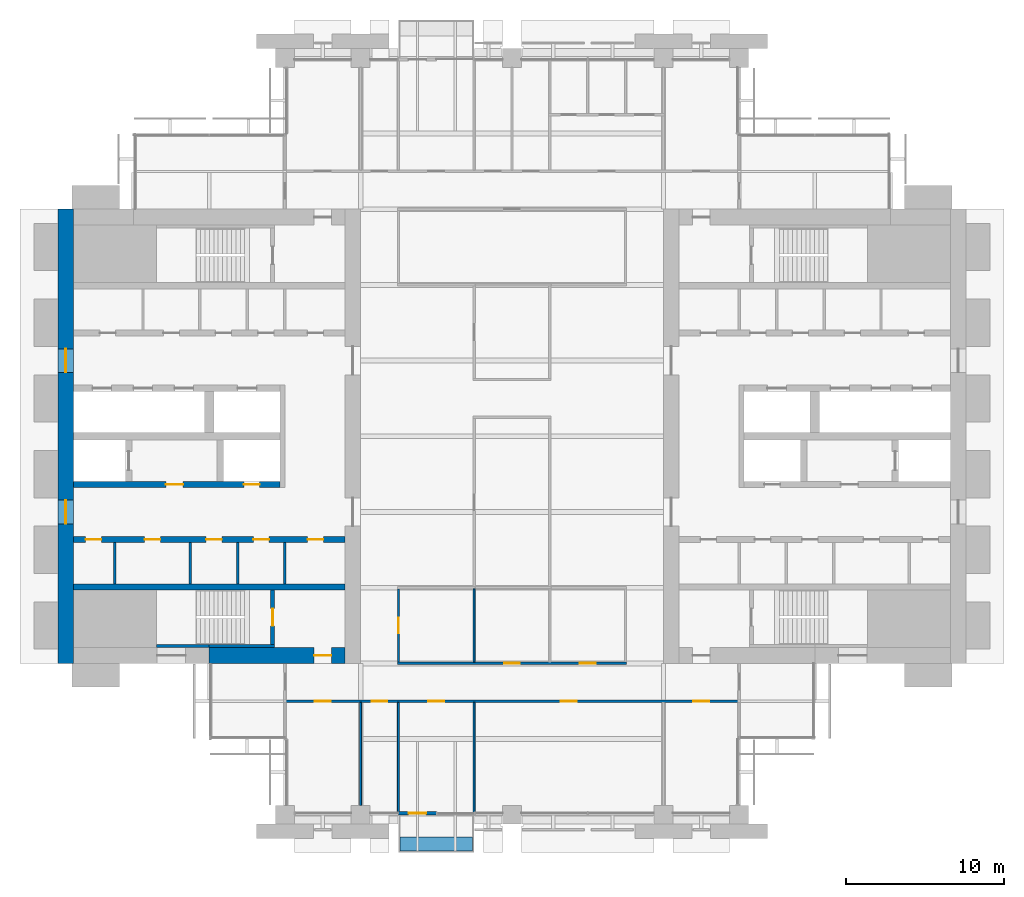
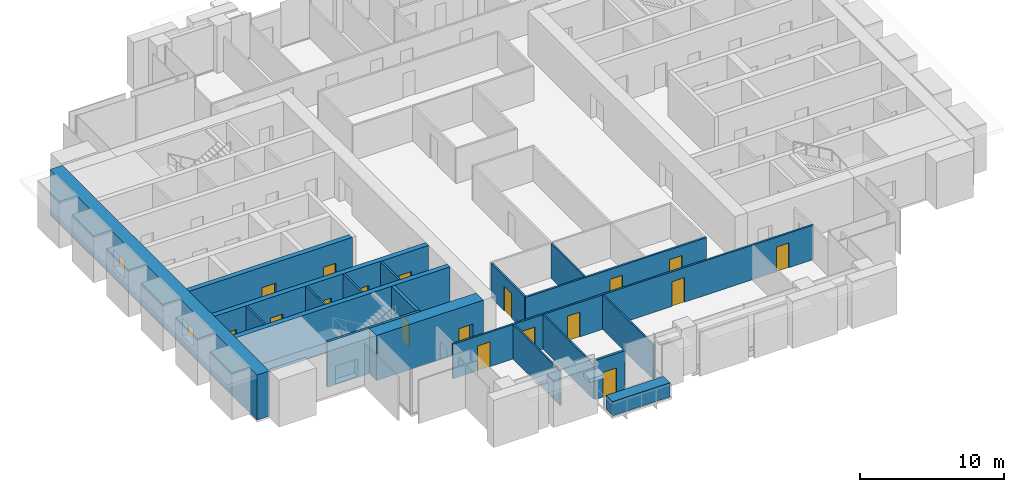
# One storey, part 9 of 15: 21 walls, 18 doors, 2 windows, 20 openings.
"""IFC4 building model written with IfcOpenShell, lengths in metres."""

from ifc_helpers import new_model, si_unit, direction, frame, frame_2d, origin, place, context, subcontext, project, spatial, rectangle, extrude, material, layer, layer_set, type_object, element, fill, save


model = new_model("IFC4")

# Units and contexts
model_context = context("Model", 3, precision=1e-05, world=origin(), true_north=direction((0.0, 1.0)))
body_context = subcontext(model_context, "Body", "Model", "MODEL_VIEW")
ifc_project = project(units=[si_unit("LENGTHUNIT", "METRE"), si_unit("AREAUNIT", "SQUARE_METRE"), si_unit("VOLUMEUNIT", "CUBIC_METRE"), si_unit("PLANEANGLEUNIT", "RADIAN"), si_unit("MASSUNIT", "GRAM", prefix="KILO")], contexts=[model_context])

# Site, building, storey
site_placement = place(None, origin())
site = spatial("IfcSite", under=ifc_project, at=site_placement, CompositionType="ELEMENT")
building_placement = place(site_placement, origin())
building = spatial("IfcBuilding", under=site, at=building_placement, Name="Baori Bourse Tower", CompositionType="ELEMENT")
storey_placement = place(building_placement, frame((0.0, 0.0, 128.10009765625)))
storey = spatial("IfcBuildingStorey", under=building, at=storey_placement, Name="L27", CompositionType="ELEMENT", Elevation=128.10009765625)

# Walls
ifc_material_1 = material(Name="Blockwork partition", Category="masonry")
ifc_layer_1 = layer(ifc_material_1, 0.14990234375)
ifc_layer_set_1 = layer_set([ifc_layer_1], Name="Core partition 150")
wall_type_1 = type_object("IfcWallType", Name="Core partition 150", PredefinedType="PARTITIONING", material=ifc_layer_set_1)
for number, where, z_axis, x_axis, name in (
    (1, (3.60009765625, 14.64990234375, 0.0), (0.0, 0.0, 1.0), (0.0, 1.0, 0.0), "Partition wall W10"),
    (2, (8.39990234375, 14.64990234375, 0.0), (0.0, 0.0, 1.0), (0.0, 1.0, 0.0), "Partition wall W11"),
    (3, (11.39990234375, 14.64990234375, 0.0), (0.0, 0.0, 1.0), (0.0, 1.0, 0.0), "Partition wall W12"),
    (4, (14.39990234375, 14.64990234375, 0.0), (0.0, 0.0, 1.0), (0.0, 1.0, 0.0), "Partition wall W13"),
):
    element("IfcWall", number, at=place(storey_placement, frame(where, z_axis=z_axis, x_axis=x_axis)), inside=storey, type_object=wall_type_1, Name=name, PredefinedType="PARTITIONING", context=body_context, shape_type="SweptSolid", body=[
        extrude(rectangle(XDim=2.60009765625, YDim=0.14990234375, at=frame_2d((1.300048828125, 0.0))), origin(), (0.0, 0.0, 1.0), 3.83984375),
    ])

# Wall, openings, windows
ifc_material_2 = material(Name="Concrete f'c 60 MPa", Category="concrete")
ifc_layer_2 = layer(ifc_material_2, 1.0)
ifc_layer_set_2 = layer_set([ifc_layer_2], Name="Core wall 1000 f'c 60")
wall_type_2 = type_object("IfcWallType", Name="Core wall 1000 f'c 60", PredefinedType="SHEAR", material=ifc_layer_set_2)
wall_1_placement = place(storey_placement, frame((0.5, 9.60009765625, 0.0), z_axis=(0.0, 0.0, 1.0), x_axis=(0.0, 1.0, 0.0)))
wall_1 = element("IfcWall", 5, at=wall_1_placement, inside=storey, type_object=wall_type_2, Name="Core wall W01", PredefinedType="SHEAR", context=body_context, shape_type="SweptSolid", body=[
    extrude(rectangle(XDim=28.7998046875, YDim=1.0, at=frame_2d((14.39990234375, 0.0))), origin(), (0.0, 0.0, 1.0), 3.83984375),
])
opening_1_placement = place(wall_1_placement, frame((8.85009765625, 0.0, 0.89990234375)))
opening_1 = element("IfcOpeningElement", 6, at=opening_1_placement, cuts=wall_1, Name="Opening L27-KW101", PredefinedType="OPENING", context=body_context, shape_type="SweptSolid", body=[
    extrude(rectangle(XDim=1.5, YDim=1.5, at=frame_2d((0.75, 0.75))), frame((0.0, 0.510009765625, 0.0), z_axis=(0.0, -1.0, 0.0), x_axis=(1.0, 0.0, 0.0)), (0.0, 0.0, 1.0), 1.02001953125),
])
opening_2_placement = place(wall_1_placement, frame((18.449951171875, 0.0, 0.89990234375)))
opening_2 = element("IfcOpeningElement", 7, at=opening_2_placement, cuts=wall_1, Name="Opening L27-KW102", PredefinedType="OPENING", context=body_context, shape_type="SweptSolid", body=[
    extrude(rectangle(XDim=1.5, YDim=1.5, at=frame_2d((0.75, 0.75))), frame((0.0, 0.510009765625, 0.0), z_axis=(0.0, -1.0, 0.0), x_axis=(1.0, 0.0, 0.0)), (0.0, 0.0, 1.0), 1.02001953125),
])
ifc_material_3 = material(Name="Pale anodised aluminium", Category="aluminium")
window_type = type_object("IfcWindowType", Name="Lobby window 1500 x 1500", PartitioningType="SINGLE_PANEL", PredefinedType="WINDOW", material=ifc_material_3)
window_1_placement = place(opening_1_placement, origin())
window_1 = element("IfcWindow", 8, at=window_1_placement, inside=storey, type_object=window_type, Name="Outer wall window W L27 1", OverallHeight=1.5, OverallWidth=1.5, PartitioningType="SINGLE_PANEL", PredefinedType="WINDOW", context=body_context, shape_type="SweptSolid", body=[
    extrude(rectangle(XDim=1.5, YDim=1.5, at=frame_2d((0.75, 0.75))), frame((0.0, 0.030029296875, 0.0), z_axis=(0.0, -1.0, 0.0), x_axis=(1.0, 0.0, 0.0)), (0.0, 0.0, 1.0), 0.06005859375),
])
fill(opening_1, window_1)
window_2_placement = place(opening_2_placement, origin())
window_2 = element("IfcWindow", 9, at=window_2_placement, inside=storey, type_object=window_type, Name="Outer wall window W L27 2", OverallHeight=1.5, OverallWidth=1.5, PartitioningType="SINGLE_PANEL", PredefinedType="WINDOW", context=body_context, shape_type="SweptSolid", body=[
    extrude(rectangle(XDim=1.5, YDim=1.5, at=frame_2d((0.75, 0.75))), frame((0.0, 0.030029296875, 0.0), z_axis=(0.0, -1.0, 0.0), x_axis=(1.0, 0.0, 0.0)), (0.0, 0.0, 1.0), 0.06005859375),
])
fill(opening_2, window_2)

# Wall, opening, door
wall_2_placement = place(storey_placement, frame((18.199951171875, 10.10009765625, 0.0), z_axis=(0.0, 0.0, 1.0), x_axis=(-1.0, 0.0, 0.0)))
wall_2 = element("IfcWall", 10, at=wall_2_placement, inside=storey, type_object=wall_type_2, Name="Core wall W03", PredefinedType="SHEAR", context=body_context, shape_type="SweptSolid", body=[
    extrude(rectangle(XDim=8.599853515625, YDim=1.0, at=frame_2d((4.2998046875, 0.0))), origin(), (0.0, 0.0, 1.0), 3.83984375),
])
opening_3_placement = place(wall_2_placement, frame((0.85009765625, 0.0, 0.0)))
opening_3 = element("IfcOpeningElement", 11, at=opening_3_placement, cuts=wall_2, Name="Opening L27-D102", PredefinedType="OPENING", context=body_context, shape_type="SweptSolid", body=[
    extrude(rectangle(XDim=1.10009765625, YDim=2.10009765625, at=frame_2d((0.550048828125, 1.050048828125))), frame((0.0, 0.510009765625, 0.0), z_axis=(0.0, -1.0, 0.0), x_axis=(1.0, 0.0, 0.0)), (0.0, 0.0, 1.0), 1.02001953125),
])
ifc_material_4 = material(Name="Painted steel door", Category="steel")
door_type_1 = type_object("IfcDoorType", Name="Stair door 1100", OperationType="SINGLE_SWING_LEFT", PredefinedType="DOOR", material=ifc_material_4)
door_1_placement = place(opening_3_placement, origin())
door_1 = element("IfcDoor", 12, at=door_1_placement, inside=storey, type_object=door_type_1, Name="Stair vestibule door A W L27", OperationType="SINGLE_SWING_LEFT", OverallHeight=2.10009765625, OverallWidth=1.10009765625, PredefinedType="DOOR", context=body_context, shape_type="SweptSolid", body=[
    extrude(rectangle(XDim=1.10009765625, YDim=2.10009765625, at=frame_2d((0.550048828125, 1.050048828125))), frame((0.0, 0.02490234375, 0.0), z_axis=(0.0, -1.0, 0.0), x_axis=(1.0, 0.0, 0.0)), (0.0, 0.0, 1.0), 0.050048828125),
])
fill(opening_3, door_1)

# Wall, openings, doors
ifc_material_5 = material(Name="Gypsum board partition")
ifc_layer_3 = layer(ifc_material_5, 0.14990234375)
ifc_layer_set_3 = layer_set([ifc_layer_3], Name="Corridor partition 150")
wall_type_3 = type_object("IfcWallType", Name="Corridor partition 150", PredefinedType="PARTITIONING", material=ifc_layer_set_3)
wall_3_placement = place(storey_placement, frame((14.324951171875, 7.199951171875, 0.0), z_axis=(0.0, 0.0, 1.0), x_axis=(1.0, 0.0, 0.0)))
wall_3 = element("IfcWall", 13, at=wall_3_placement, inside=storey, type_object=wall_type_3, Name="Partition", PredefinedType="PARTITIONING", context=body_context, shape_type="SweptSolid", body=[
    extrude(rectangle(XDim=28.949951171875, YDim=0.14990234375, at=frame_2d((14.47509765625, 0.0))), origin(), (0.0, 0.0, 1.0), 2.935546875),
])
opening_4_placement = place(wall_3_placement, frame((1.97509765625, 0.0, 0.0)))
opening_4 = element("IfcOpeningElement", 14, at=opening_4_placement, cuts=wall_3, Name="Opening L27-D01", PredefinedType="OPENING", context=body_context, shape_type="SweptSolid", body=[
    extrude(rectangle(XDim=1.0, YDim=2.10009765625, at=frame_2d((0.5, 1.050048828125))), frame((0.0, 0.0849609375, 0.0), z_axis=(0.0, -1.0, 0.0), x_axis=(1.0, 0.0, 0.0)), (0.0, 0.0, 1.0), 0.169921875),
])
opening_5_placement = place(wall_3_placement, frame((5.574951171875, 0.0, 0.0)))
opening_5 = element("IfcOpeningElement", 15, at=opening_5_placement, cuts=wall_3, Name="Opening L27-D02", PredefinedType="OPENING", context=body_context, shape_type="SweptSolid", body=[
    extrude(rectangle(XDim=1.0, YDim=2.10009765625, at=frame_2d((0.5, 1.050048828125))), frame((0.0, 0.0849609375, 0.0), z_axis=(0.0, -1.0, 0.0), x_axis=(1.0, 0.0, 0.0)), (0.0, 0.0, 1.0), 0.169921875),
])
opening_6_placement = place(wall_3_placement, frame((9.175048828125, 0.0, 0.0)))
opening_6 = element("IfcOpeningElement", 16, at=opening_6_placement, cuts=wall_3, Name="Opening L27-D03", PredefinedType="OPENING", context=body_context, shape_type="SweptSolid", body=[
    extrude(rectangle(XDim=1.0, YDim=2.10009765625, at=frame_2d((0.5, 1.050048828125))), frame((0.0, 0.0849609375, 0.0), z_axis=(0.0, -1.0, 0.0), x_axis=(1.0, 0.0, 0.0)), (0.0, 0.0, 1.0), 0.169921875),
])
opening_7_placement = place(wall_3_placement, frame((17.574951171875, 0.0, 0.0)))
opening_7 = element("IfcOpeningElement", 17, at=opening_7_placement, cuts=wall_3, Name="Opening L27-D04", PredefinedType="OPENING", context=body_context, shape_type="SweptSolid", body=[
    extrude(rectangle(XDim=1.0, YDim=2.10009765625, at=frame_2d((0.5, 1.050048828125))), frame((0.0, 0.0849609375, 0.0), z_axis=(0.0, -1.0, 0.0), x_axis=(1.0, 0.0, 0.0)), (0.0, 0.0, 1.0), 0.169921875),
])
opening_8_placement = place(wall_3_placement, frame((25.97509765625, 0.0, 0.0)))
opening_8 = element("IfcOpeningElement", 18, at=opening_8_placement, cuts=wall_3, Name="Opening L27-D05", PredefinedType="OPENING", context=body_context, shape_type="SweptSolid", body=[
    extrude(rectangle(XDim=1.0, YDim=2.10009765625, at=frame_2d((0.5, 1.050048828125))), frame((0.0, 0.0849609375, 0.0), z_axis=(0.0, -1.0, 0.0), x_axis=(1.0, 0.0, 0.0)), (0.0, 0.0, 1.0), 0.169921875),
])
ifc_material_6 = material(Name="Timber door leaf", Category="wood")
door_type_2 = type_object("IfcDoorType", Name="Door 1000 x 2100", OperationType="SINGLE_SWING_LEFT", PredefinedType="DOOR", material=ifc_material_6)
door_2_placement = place(opening_4_placement, origin())
door_2 = element("IfcDoor", 19, at=door_2_placement, inside=storey, type_object=door_type_2, Name="Door", OperationType="SINGLE_SWING_LEFT", OverallHeight=2.10009765625, OverallWidth=1.0, PredefinedType="DOOR", context=body_context, shape_type="SweptSolid", body=[
    extrude(rectangle(XDim=1.0, YDim=2.10009765625, at=frame_2d((0.5, 1.050048828125))), frame((0.0, 0.02490234375, 0.0), z_axis=(0.0, -1.0, 0.0), x_axis=(1.0, 0.0, 0.0)), (0.0, 0.0, 1.0), 0.050048828125),
])
fill(opening_4, door_2)
door_3_placement = place(opening_5_placement, origin())
door_3 = element("IfcDoor", 20, at=door_3_placement, inside=storey, type_object=door_type_2, Name="Door", OperationType="SINGLE_SWING_LEFT", OverallHeight=2.10009765625, OverallWidth=1.0, PredefinedType="DOOR", context=body_context, shape_type="SweptSolid", body=[
    extrude(rectangle(XDim=1.0, YDim=2.10009765625, at=frame_2d((0.5, 1.050048828125))), frame((0.0, 0.02490234375, 0.0), z_axis=(0.0, -1.0, 0.0), x_axis=(1.0, 0.0, 0.0)), (0.0, 0.0, 1.0), 0.050048828125),
])
fill(opening_5, door_3)
door_4_placement = place(opening_6_placement, origin())
door_4 = element("IfcDoor", 21, at=door_4_placement, inside=storey, type_object=door_type_2, Name="Door", OperationType="SINGLE_SWING_LEFT", OverallHeight=2.10009765625, OverallWidth=1.0, PredefinedType="DOOR", context=body_context, shape_type="SweptSolid", body=[
    extrude(rectangle(XDim=1.0, YDim=2.10009765625, at=frame_2d((0.5, 1.050048828125))), frame((0.0, 0.02490234375, 0.0), z_axis=(0.0, -1.0, 0.0), x_axis=(1.0, 0.0, 0.0)), (0.0, 0.0, 1.0), 0.050048828125),
])
fill(opening_6, door_4)
door_5_placement = place(opening_7_placement, origin())
door_5 = element("IfcDoor", 22, at=door_5_placement, inside=storey, type_object=door_type_2, Name="Door", OperationType="SINGLE_SWING_RIGHT", OverallHeight=2.10009765625, OverallWidth=1.0, PredefinedType="DOOR", context=body_context, shape_type="SweptSolid", body=[
    extrude(rectangle(XDim=1.0, YDim=2.10009765625, at=frame_2d((0.5, 1.050048828125))), frame((0.0, 0.02490234375, 0.0), z_axis=(0.0, -1.0, 0.0), x_axis=(1.0, 0.0, 0.0)), (0.0, 0.0, 1.0), 0.050048828125),
])
fill(opening_7, door_5)
door_6_placement = place(opening_8_placement, origin())
door_6 = element("IfcDoor", 23, at=door_6_placement, inside=storey, type_object=door_type_2, Name="Door", OperationType="SINGLE_SWING_RIGHT", OverallHeight=2.10009765625, OverallWidth=1.0, PredefinedType="DOOR", context=body_context, shape_type="SweptSolid", body=[
    extrude(rectangle(XDim=1.0, YDim=2.10009765625, at=frame_2d((0.5, 1.050048828125))), frame((0.0, 0.02490234375, 0.0), z_axis=(0.0, -1.0, 0.0), x_axis=(1.0, 0.0, 0.0)), (0.0, 0.0, 1.0), 0.050048828125),
])
fill(opening_8, door_6)

wall_4_placement = place(storey_placement, frame((21.52490234375, 9.60009765625, 0.0), z_axis=(0.0, 0.0, 1.0), x_axis=(1.0, 0.0, 0.0)))
wall_4 = element("IfcWall", 24, at=wall_4_placement, inside=storey, type_object=wall_type_3, Name="Partition", PredefinedType="PARTITIONING", context=body_context, shape_type="SweptSolid", body=[
    extrude(rectangle(XDim=14.550048828125, YDim=0.14990234375, at=frame_2d((7.27490234375, 0.0))), origin(), (0.0, 0.0, 1.0), 2.935546875),
])
opening_9_placement = place(wall_4_placement, frame((6.77490234375, 0.0, 0.0)))
opening_9 = element("IfcOpeningElement", 25, at=opening_9_placement, cuts=wall_4, Name="Opening L27-D06", PredefinedType="OPENING", context=body_context, shape_type="SweptSolid", body=[
    extrude(rectangle(XDim=1.0, YDim=2.10009765625, at=frame_2d((0.5, 1.050048828125))), frame((0.0, 0.0849609375, 0.0), z_axis=(0.0, -1.0, 0.0), x_axis=(1.0, 0.0, 0.0)), (0.0, 0.0, 1.0), 0.169921875),
])
opening_10_placement = place(wall_4_placement, frame((11.574951171875, 0.0, 0.0)))
opening_10 = element("IfcOpeningElement", 26, at=opening_10_placement, cuts=wall_4, Name="Opening L27-D07", PredefinedType="OPENING", context=body_context, shape_type="SweptSolid", body=[
    extrude(rectangle(XDim=1.0, YDim=2.10009765625, at=frame_2d((0.5, 1.050048828125))), frame((0.0, 0.0849609375, 0.0), z_axis=(0.0, -1.0, 0.0), x_axis=(1.0, 0.0, 0.0)), (0.0, 0.0, 1.0), 0.169921875),
])
door_7_placement = place(opening_9_placement, origin())
door_7 = element("IfcDoor", 27, at=door_7_placement, inside=storey, type_object=door_type_2, Name="Door", OperationType="SINGLE_SWING_RIGHT", OverallHeight=2.10009765625, OverallWidth=1.0, PredefinedType="DOOR", context=body_context, shape_type="SweptSolid", body=[
    extrude(rectangle(XDim=1.0, YDim=2.10009765625, at=frame_2d((0.5, 1.050048828125))), frame((0.0, 0.02490234375, 0.0), z_axis=(0.0, -1.0, 0.0), x_axis=(1.0, 0.0, 0.0)), (0.0, 0.0, 1.0), 0.050048828125),
])
fill(opening_9, door_7)
door_8_placement = place(opening_10_placement, origin())
door_8 = element("IfcDoor", 28, at=door_8_placement, inside=storey, type_object=door_type_2, Name="Door", OperationType="SINGLE_SWING_LEFT", OverallHeight=2.10009765625, OverallWidth=1.0, PredefinedType="DOOR", context=body_context, shape_type="SweptSolid", body=[
    extrude(rectangle(XDim=1.0, YDim=2.10009765625, at=frame_2d((0.5, 1.050048828125))), frame((0.0, 0.02490234375, 0.0), z_axis=(0.0, -1.0, 0.0), x_axis=(1.0, 0.0, 0.0)), (0.0, 0.0, 1.0), 0.050048828125),
])
fill(opening_10, door_8)

# Wall, opening, door
wall_5_placement = place(storey_placement, frame((21.60009765625, 9.675048828125, 0.0), z_axis=(0.0, 0.0, 1.0), x_axis=(0.0, 1.0, 0.0)))
wall_5 = element("IfcWall", 29, at=wall_5_placement, inside=storey, type_object=wall_type_3, Name="Partition", PredefinedType="PARTITIONING", context=body_context, shape_type="SweptSolid", body=[
    extrude(rectangle(XDim=4.64990234375, YDim=0.14990234375, at=frame_2d((2.324951171875, 0.0))), origin(), (0.0, 0.0, 1.0), 2.935546875),
])
opening_11_placement = place(wall_5_placement, frame((1.824951171875, 0.0, 0.0)))
opening_11 = element("IfcOpeningElement", 30, at=opening_11_placement, cuts=wall_5, Name="Opening L27-D21", PredefinedType="OPENING", context=body_context, shape_type="SweptSolid", body=[
    extrude(rectangle(XDim=1.0, YDim=2.10009765625, at=frame_2d((0.5, 1.050048828125))), frame((0.0, 0.0849609375, 0.0), z_axis=(0.0, -1.0, 0.0), x_axis=(1.0, 0.0, 0.0)), (0.0, 0.0, 1.0), 0.169921875),
])
door_9_placement = place(opening_11_placement, origin())
door_9 = element("IfcDoor", 31, at=door_9_placement, inside=storey, type_object=door_type_2, Name="Door", OperationType="SINGLE_SWING_LEFT", OverallHeight=2.10009765625, OverallWidth=1.0, PredefinedType="DOOR", context=body_context, shape_type="SweptSolid", body=[
    extrude(rectangle(XDim=1.0, YDim=2.10009765625, at=frame_2d((0.5, 1.050048828125))), frame((0.0, 0.02490234375, 0.0), z_axis=(0.0, -1.0, 0.0), x_axis=(1.0, 0.0, 0.0)), (0.0, 0.0, 1.0), 0.050048828125),
])
fill(opening_11, door_9)

ifc_material_7 = material(Name="Pale anodised aluminium", Category="aluminium")
ifc_layer_4 = layer(ifc_material_7, 0.199951171875)
ifc_layer_set_4 = layer_set([ifc_layer_4], Name="EW1 External wall bay")
wall_type_4 = type_object("IfcWallType", Name="EW1 External wall bay", PredefinedType="SOLIDWALL", material=ifc_layer_set_4)
wall_6_placement = place(storey_placement, frame((21.60009765625, 0.10009765625, 0.0), z_axis=(0.0, 0.0, 1.0), x_axis=(1.0, 0.0, 0.0)))
wall_6 = element("IfcWall", 32, at=wall_6_placement, inside=storey, type_object=wall_type_4, Name="External wall bay L27 2", PredefinedType="SOLIDWALL", context=body_context, shape_type="SweptSolid", body=[
    extrude(rectangle(XDim=2.39990234375, YDim=0.199951171875, at=frame_2d((1.199951171875, 0.0))), origin(), (0.0, 0.0, 1.0), 3.314208984375),
])
opening_12_placement = place(wall_6_placement, frame((0.64990234375, 0.0, 0.0)))
opening_12 = element("IfcOpeningElement", 33, at=opening_12_placement, cuts=wall_6, Name="Opening L27-D92", PredefinedType="OPENING", context=body_context, shape_type="SweptSolid", body=[
    extrude(rectangle(XDim=1.10009765625, YDim=2.10009765625, at=frame_2d((0.550048828125, 1.050048828125))), frame((0.0, 0.10986328125, 0.0), z_axis=(0.0, -1.0, 0.0), x_axis=(1.0, 0.0, 0.0)), (0.0, 0.0, 1.0), 0.219970703125),
])
ifc_material_8 = material(Name="Pale anodised aluminium", Category="aluminium")
door_type_3 = type_object("IfcDoorType", Name="BL1 Balcony door", OperationType="SINGLE_SWING_LEFT", PredefinedType="DOOR", material=ifc_material_8)
door_10_placement = place(opening_12_placement, origin())
door_10 = element("IfcDoor", 34, at=door_10_placement, inside=storey, type_object=door_type_3, Name="Balcony door L27 2", OperationType="SINGLE_SWING_LEFT", OverallHeight=2.10009765625, OverallWidth=1.10009765625, PredefinedType="DOOR", context=body_context, shape_type="SweptSolid", body=[
    extrude(rectangle(XDim=1.10009765625, YDim=2.10009765625, at=frame_2d((0.550048828125, 1.050048828125))), frame((0.0, 0.02490234375, 0.0), z_axis=(0.0, -1.0, 0.0), x_axis=(1.0, 0.0, 0.0)), (0.0, 0.0, 1.0), 0.050048828125),
])
fill(opening_12, door_10)

# Walls
ifc_material_9 = material(Name="Concrete f'c 40 MPa", Category="concrete")
ifc_layer_5 = layer(ifc_material_9, 0.89990234375)
ifc_layer_set_5 = layer_set([ifc_layer_5], Name="PW1 Planter wall")
wall_type_5 = type_object("IfcWallType", Name="PW1 Planter wall", PredefinedType="USERDEFINED", material=ifc_layer_set_5)
wall_7_placement = place(storey_placement, frame((21.699951171875, -1.85009765625, 0.0), z_axis=(0.0, 0.0, 1.0), x_axis=(1.0, 0.0, 0.0)))
element("IfcWall", 35, at=wall_7_placement, inside=storey, type_object=wall_type_5, Name="Planter balcony S L27 1", ObjectType="PLANTER", PredefinedType="USERDEFINED", context=body_context, shape_type="SweptSolid", body=[
    extrude(rectangle(XDim=4.60009765625, YDim=0.89990234375, at=frame_2d((2.300048828125, 0.0))), origin(), (0.0, 0.0, 1.0), 1.199951171875),
])
ifc_material_10 = material(Name="Gypsum board partition")
ifc_layer_6 = layer(ifc_material_10, 0.125)
ifc_layer_set_6 = layer_set([ifc_layer_6], Name="Partition 125")
wall_type_6 = type_object("IfcWallType", Name="Partition 125", PredefinedType="PARTITIONING", material=ifc_layer_set_6)
wall_8_placement = place(storey_placement, frame((19.199951171875, 0.60009765625, 0.0), z_axis=(0.0, 0.0, 1.0), x_axis=(0.0, 1.0, 0.0)))
element("IfcWall", 36, at=wall_8_placement, inside=storey, type_object=wall_type_6, Name="Partition", PredefinedType="PARTITIONING", context=body_context, shape_type="SweptSolid", body=[
    extrude(rectangle(XDim=6.52490234375, YDim=0.125, at=frame_2d((3.262451171875, 0.0))), origin(), (0.0, 0.0, 1.0), 2.935546875),
])
for number, where, z_axis, x_axis, name in (
    (37, (21.60009765625, 0.10009765625, 0.0), (0.0, 0.0, 1.0), (0.0, 1.0, 0.0), "Partition"),
    (38, (26.39990234375, 0.10009765625, 0.0), (0.0, 0.0, 1.0), (0.0, 1.0, 0.0), "Partition"),
):
    element("IfcWall", number, at=place(storey_placement, frame(where, z_axis=z_axis, x_axis=x_axis)), inside=storey, type_object=wall_type_6, Name=name, PredefinedType="PARTITIONING", context=body_context, shape_type="SweptSolid", body=[
        extrude(rectangle(XDim=7.02490234375, YDim=0.125, at=frame_2d((3.512451171875, 0.0))), origin(), (0.0, 0.0, 1.0), 2.935546875),
    ])
wall_9_placement = place(storey_placement, frame((26.39990234375, 9.675048828125, 0.0), z_axis=(0.0, 0.0, 1.0), x_axis=(0.0, 1.0, 0.0)))
element("IfcWall", 39, at=wall_9_placement, inside=storey, type_object=wall_type_6, Name="Partition", PredefinedType="PARTITIONING", context=body_context, shape_type="SweptSolid", body=[
    extrude(rectangle(XDim=4.64990234375, YDim=0.125, at=frame_2d((2.324951171875, 0.0))), origin(), (0.0, 0.0, 1.0), 2.935546875),
])
ifc_material_11 = material(Name="Concrete f'c 60 MPa", Category="concrete")
ifc_layer_7 = layer(ifc_material_11, 0.199951171875)
ifc_layer_set_7 = layer_set([ifc_layer_7], Name="Shaft wall 200 f'c 60")
wall_type_7 = type_object("IfcWallType", Name="Shaft wall 200 f'c 60", PredefinedType="SHEAR", material=ifc_layer_set_7)
wall_10_placement = place(storey_placement, frame((6.25, 10.699951171875, 0.0), z_axis=(0.0, 0.0, 1.0), x_axis=(1.0, 0.0, 0.0)))
element("IfcWall", 40, at=wall_10_placement, inside=storey, type_object=wall_type_7, Name="Core wall W06", PredefinedType="SHEAR", context=body_context, shape_type="SweptSolid", body=[
    extrude(rectangle(XDim=3.35009765625, YDim=0.199951171875, at=frame_2d((1.675048828125, 0.0))), origin(), (0.0, 0.0, 1.0), 3.83984375),
])
wall_11_placement = place(storey_placement, frame((9.60009765625, 10.699951171875, 0.0), z_axis=(0.0, 0.0, 1.0), x_axis=(1.0, 0.0, 0.0)))
element("IfcWall", 41, at=wall_11_placement, inside=storey, type_object=wall_type_7, Name="Core wall W07", PredefinedType="SHEAR", context=body_context, shape_type="SweptSolid", body=[
    extrude(rectangle(XDim=4.14990234375, YDim=0.199951171875, at=frame_2d((2.074951171875, 0.0))), origin(), (0.0, 0.0, 1.0), 3.83984375),
])

# Wall, opening, door
ifc_material_12 = material(Name="Concrete f'c 60 MPa", Category="concrete")
ifc_layer_8 = layer(ifc_material_12, 0.25)
ifc_layer_set_8 = layer_set([ifc_layer_8], Name="Shaft wall 250 f'c 60")
wall_type_8 = type_object("IfcWallType", Name="Shaft wall 250 f'c 60", PredefinedType="SHEAR", material=ifc_layer_set_8)
wall_12_placement = place(storey_placement, frame((13.625, 10.800048828125, 0.0), z_axis=(0.0, 0.0, 1.0), x_axis=(0.0, 1.0, 0.0)))
wall_12 = element("IfcWall", 42, at=wall_12_placement, inside=storey, type_object=wall_type_8, Name="Core wall W08", PredefinedType="SHEAR", context=body_context, shape_type="SweptSolid", body=[
    extrude(rectangle(XDim=3.449951171875, YDim=0.25, at=frame_2d((1.72509765625, 0.0))), origin(), (0.0, 0.0, 1.0), 3.83984375),
])
opening_13_placement = place(wall_12_placement, frame((1.175048828125, 0.0, 0.0)))
opening_13 = element("IfcOpeningElement", 43, at=opening_13_placement, cuts=wall_12, Name="Opening L27-D101", PredefinedType="OPENING", context=body_context, shape_type="SweptSolid", body=[
    extrude(rectangle(XDim=1.10009765625, YDim=2.10009765625, at=frame_2d((0.550048828125, 1.050048828125))), frame((0.0, 0.135009765625, 0.0), z_axis=(0.0, -1.0, 0.0), x_axis=(1.0, 0.0, 0.0)), (0.0, 0.0, 1.0), 0.27001953125),
])
door_11_placement = place(opening_13_placement, origin())
door_11 = element("IfcDoor", 44, at=door_11_placement, inside=storey, type_object=door_type_1, Name="Stair door A W L27", OperationType="SINGLE_SWING_LEFT", OverallHeight=2.10009765625, OverallWidth=1.10009765625, PredefinedType="DOOR", context=body_context, shape_type="SweptSolid", body=[
    extrude(rectangle(XDim=1.10009765625, YDim=2.10009765625, at=frame_2d((0.550048828125, 1.050048828125))), frame((0.0, 0.02490234375, 0.0), z_axis=(0.0, -1.0, 0.0), x_axis=(1.0, 0.0, 0.0)), (0.0, 0.0, 1.0), 0.050048828125),
])
fill(opening_13, door_11)

# Wall
ifc_material_13 = material(Name="Concrete f'c 60 MPa", Category="concrete")
ifc_layer_9 = layer(ifc_material_13, 0.39990234375)
ifc_layer_set_9 = layer_set([ifc_layer_9], Name="Shaft wall 400 f'c 60")
wall_type_9 = type_object("IfcWallType", Name="Shaft wall 400 f'c 60", PredefinedType="SHEAR", material=ifc_layer_set_9)
wall_13_placement = place(storey_placement, frame((1.0, 14.449951171875, 0.0), z_axis=(0.0, 0.0, 1.0), x_axis=(1.0, 0.0, 0.0)))
element("IfcWall", 45, at=wall_13_placement, inside=storey, type_object=wall_type_9, Name="Core wall W09", PredefinedType="SHEAR", context=body_context, shape_type="SweptSolid", body=[
    extrude(rectangle(XDim=17.199951171875, YDim=0.39990234375, at=frame_2d((8.60009765625, 0.0))), origin(), (0.0, 0.0, 1.0), 3.83984375),
])

# Wall, openings, doors
wall_14_placement = place(storey_placement, frame((1.0, 17.449951171875, 0.0), z_axis=(0.0, 0.0, 1.0), x_axis=(1.0, 0.0, 0.0)))
wall_14 = element("IfcWall", 46, at=wall_14_placement, inside=storey, type_object=wall_type_9, Name="Core wall W14", PredefinedType="SHEAR", context=body_context, shape_type="SweptSolid", body=[
    extrude(rectangle(XDim=17.199951171875, YDim=0.39990234375, at=frame_2d((8.60009765625, 0.0))), origin(), (0.0, 0.0, 1.0), 3.83984375),
])
opening_14_placement = place(wall_14_placement, frame((0.762451171875, 0.0, 0.0)))
opening_14 = element("IfcOpeningElement", 47, at=opening_14_placement, cuts=wall_14, Name="Opening L27-D114", PredefinedType="OPENING", context=body_context, shape_type="SweptSolid", body=[
    extrude(rectangle(XDim=1.0, YDim=2.10009765625, at=frame_2d((0.5, 1.050048828125))), frame((0.0, 0.2099609375, 0.0), z_axis=(0.0, -1.0, 0.0), x_axis=(1.0, 0.0, 0.0)), (0.0, 0.0, 1.0), 0.419921875),
])
opening_15_placement = place(wall_14_placement, frame((4.5, 0.0, 0.0)))
opening_15 = element("IfcOpeningElement", 48, at=opening_15_placement, cuts=wall_14, Name="Opening L27-D115", PredefinedType="OPENING", context=body_context, shape_type="SweptSolid", body=[
    extrude(rectangle(XDim=1.0, YDim=2.10009765625, at=frame_2d((0.5, 1.050048828125))), frame((0.0, 0.2099609375, 0.0), z_axis=(0.0, -1.0, 0.0), x_axis=(1.0, 0.0, 0.0)), (0.0, 0.0, 1.0), 0.419921875),
])
opening_16_placement = place(wall_14_placement, frame((8.39990234375, 0.0, 0.0)))
opening_16 = element("IfcOpeningElement", 49, at=opening_16_placement, cuts=wall_14, Name="Opening L27-D116", PredefinedType="OPENING", context=body_context, shape_type="SweptSolid", body=[
    extrude(rectangle(XDim=1.0, YDim=2.10009765625, at=frame_2d((0.5, 1.050048828125))), frame((0.0, 0.2099609375, 0.0), z_axis=(0.0, -1.0, 0.0), x_axis=(1.0, 0.0, 0.0)), (0.0, 0.0, 1.0), 0.419921875),
])
opening_17_placement = place(wall_14_placement, frame((11.39990234375, 0.0, 0.0)))
opening_17 = element("IfcOpeningElement", 50, at=opening_17_placement, cuts=wall_14, Name="Opening L27-D117", PredefinedType="OPENING", context=body_context, shape_type="SweptSolid", body=[
    extrude(rectangle(XDim=1.0, YDim=2.10009765625, at=frame_2d((0.5, 1.050048828125))), frame((0.0, 0.2099609375, 0.0), z_axis=(0.0, -1.0, 0.0), x_axis=(1.0, 0.0, 0.0)), (0.0, 0.0, 1.0), 0.419921875),
])
opening_18_placement = place(wall_14_placement, frame((14.83740234375, 0.0, 0.0)))
opening_18 = element("IfcOpeningElement", 51, at=opening_18_placement, cuts=wall_14, Name="Opening L27-D118", PredefinedType="OPENING", context=body_context, shape_type="SweptSolid", body=[
    extrude(rectangle(XDim=1.0, YDim=2.10009765625, at=frame_2d((0.5, 1.050048828125))), frame((0.0, 0.2099609375, 0.0), z_axis=(0.0, -1.0, 0.0), x_axis=(1.0, 0.0, 0.0)), (0.0, 0.0, 1.0), 0.419921875),
])
ifc_material_14 = material(Name="Painted steel door", Category="steel")
door_type_4 = type_object("IfcDoorType", Name="Core door 1000", OperationType="SINGLE_SWING_LEFT", PredefinedType="DOOR", material=ifc_material_14)
door_12_placement = place(opening_15_placement, origin())
door_12 = element("IfcDoor", 52, at=door_12_placement, inside=storey, type_object=door_type_4, Name="Men'S Wc door W L27", OperationType="SINGLE_SWING_LEFT", OverallHeight=2.10009765625, OverallWidth=1.0, PredefinedType="DOOR", context=body_context, shape_type="SweptSolid", body=[
    extrude(rectangle(XDim=1.0, YDim=2.10009765625, at=frame_2d((0.5, 1.050048828125))), frame((0.0, 0.02490234375, 0.0), z_axis=(0.0, -1.0, 0.0), x_axis=(1.0, 0.0, 0.0)), (0.0, 0.0, 1.0), 0.050048828125),
])
fill(opening_15, door_12)
door_13_placement = place(opening_16_placement, origin())
door_13 = element("IfcDoor", 53, at=door_13_placement, inside=storey, type_object=door_type_4, Name="Accessible Wc door W L27", OperationType="SINGLE_SWING_LEFT", OverallHeight=2.10009765625, OverallWidth=1.0, PredefinedType="DOOR", context=body_context, shape_type="SweptSolid", body=[
    extrude(rectangle(XDim=1.0, YDim=2.10009765625, at=frame_2d((0.5, 1.050048828125))), frame((0.0, 0.02490234375, 0.0), z_axis=(0.0, -1.0, 0.0), x_axis=(1.0, 0.0, 0.0)), (0.0, 0.0, 1.0), 0.050048828125),
])
fill(opening_16, door_13)
door_14_placement = place(opening_18_placement, origin())
door_14 = element("IfcDoor", 54, at=door_14_placement, inside=storey, type_object=door_type_4, Name="Women'S Wc door W L27", OperationType="SINGLE_SWING_LEFT", OverallHeight=2.10009765625, OverallWidth=1.0, PredefinedType="DOOR", context=body_context, shape_type="SweptSolid", body=[
    extrude(rectangle(XDim=1.0, YDim=2.10009765625, at=frame_2d((0.5, 1.050048828125))), frame((0.0, 0.02490234375, 0.0), z_axis=(0.0, -1.0, 0.0), x_axis=(1.0, 0.0, 0.0)), (0.0, 0.0, 1.0), 0.050048828125),
])
fill(opening_18, door_14)
ifc_material_15 = material(Name="Painted steel door", Category="steel")
door_type_5 = type_object("IfcDoorType", Name="Plant room door 1000", OperationType="SINGLE_SWING_LEFT", PredefinedType="DOOR", material=ifc_material_15)
door_15_placement = place(opening_14_placement, origin())
door_15 = element("IfcDoor", 55, at=door_15_placement, inside=storey, type_object=door_type_5, Name="Communications Room door W L27", OperationType="SINGLE_SWING_LEFT", OverallHeight=2.10009765625, OverallWidth=1.0, PredefinedType="DOOR", context=body_context, shape_type="SweptSolid", body=[
    extrude(rectangle(XDim=1.0, YDim=2.10009765625, at=frame_2d((0.5, 1.050048828125))), frame((0.0, 0.02490234375, 0.0), z_axis=(0.0, -1.0, 0.0), x_axis=(1.0, 0.0, 0.0)), (0.0, 0.0, 1.0), 0.050048828125),
])
fill(opening_14, door_15)
door_16_placement = place(opening_17_placement, origin())
door_16 = element("IfcDoor", 56, at=door_16_placement, inside=storey, type_object=door_type_5, Name="Communications Room door W L27", OperationType="SINGLE_SWING_LEFT", OverallHeight=2.10009765625, OverallWidth=1.0, PredefinedType="DOOR", context=body_context, shape_type="SweptSolid", body=[
    extrude(rectangle(XDim=1.0, YDim=2.10009765625, at=frame_2d((0.5, 1.050048828125))), frame((0.0, 0.02490234375, 0.0), z_axis=(0.0, -1.0, 0.0), x_axis=(1.0, 0.0, 0.0)), (0.0, 0.0, 1.0), 0.050048828125),
])
fill(opening_17, door_16)

wall_15_placement = place(storey_placement, frame((1.0, 20.949951171875, 0.0), z_axis=(0.0, 0.0, 1.0), x_axis=(1.0, 0.0, 0.0)))
wall_15 = element("IfcWall", 57, at=wall_15_placement, inside=storey, type_object=wall_type_9, Name="Core wall W15", PredefinedType="SHEAR", context=body_context, shape_type="SweptSolid", body=[
    extrude(rectangle(XDim=13.10009765625, YDim=0.39990234375, at=frame_2d((6.550048828125, 0.0))), origin(), (0.0, 0.0, 1.0), 3.83984375),
])
opening_19_placement = place(wall_15_placement, frame((5.85009765625, 0.0, 0.0)))
opening_19 = element("IfcOpeningElement", 58, at=opening_19_placement, cuts=wall_15, Name="Opening L27-D105", PredefinedType="OPENING", context=body_context, shape_type="SweptSolid", body=[
    extrude(rectangle(XDim=1.10009765625, YDim=2.10009765625, at=frame_2d((0.550048828125, 1.050048828125))), frame((0.0, 0.2099609375, 0.0), z_axis=(0.0, -1.0, 0.0), x_axis=(1.0, 0.0, 0.0)), (0.0, 0.0, 1.0), 0.419921875),
])
opening_20_placement = place(wall_15_placement, frame((10.800048828125, 0.0, 0.0)))
opening_20 = element("IfcOpeningElement", 59, at=opening_20_placement, cuts=wall_15, Name="Opening L27-D106", PredefinedType="OPENING", context=body_context, shape_type="SweptSolid", body=[
    extrude(rectangle(XDim=1.0, YDim=2.10009765625, at=frame_2d((0.5, 1.050048828125))), frame((0.0, 0.2099609375, 0.0), z_axis=(0.0, -1.0, 0.0), x_axis=(1.0, 0.0, 0.0)), (0.0, 0.0, 1.0), 0.419921875),
])
ifc_material_16 = material(Name="Painted steel door", Category="steel")
door_type_6 = type_object("IfcDoorType", Name="Lobby door 1100", OperationType="SINGLE_SWING_LEFT", PredefinedType="DOOR", material=ifc_material_16)
door_17_placement = place(opening_19_placement, origin())
door_17 = element("IfcDoor", 60, at=door_17_placement, inside=storey, type_object=door_type_6, Name="Firefighting lobby door W L27", OperationType="SINGLE_SWING_LEFT", OverallHeight=2.10009765625, OverallWidth=1.10009765625, PredefinedType="DOOR", context=body_context, shape_type="SweptSolid", body=[
    extrude(rectangle(XDim=1.10009765625, YDim=2.10009765625, at=frame_2d((0.550048828125, 1.050048828125))), frame((0.0, 0.02490234375, 0.0), z_axis=(0.0, -1.0, 0.0), x_axis=(1.0, 0.0, 0.0)), (0.0, 0.0, 1.0), 0.050048828125),
])
fill(opening_19, door_17)
ifc_material_17 = material(Name="Painted steel door", Category="steel")
door_type_7 = type_object("IfcDoorType", Name="Shaft door 1000", OperationType="SINGLE_SWING_LEFT", PredefinedType="DOOR", material=ifc_material_17)
door_18_placement = place(opening_20_placement, origin())
door_18 = element("IfcDoor", 61, at=door_18_placement, inside=storey, type_object=door_type_7, Name="Riser room door W L27", OperationType="SINGLE_SWING_LEFT", OverallHeight=2.10009765625, OverallWidth=1.0, PredefinedType="DOOR", context=body_context, shape_type="SweptSolid", body=[
    extrude(rectangle(XDim=1.0, YDim=2.10009765625, at=frame_2d((0.5, 1.050048828125))), frame((0.0, 0.02490234375, 0.0), z_axis=(0.0, -1.0, 0.0), x_axis=(1.0, 0.0, 0.0)), (0.0, 0.0, 1.0), 0.050048828125),
])
fill(opening_20, door_18)

save(model, "model.ifc")
